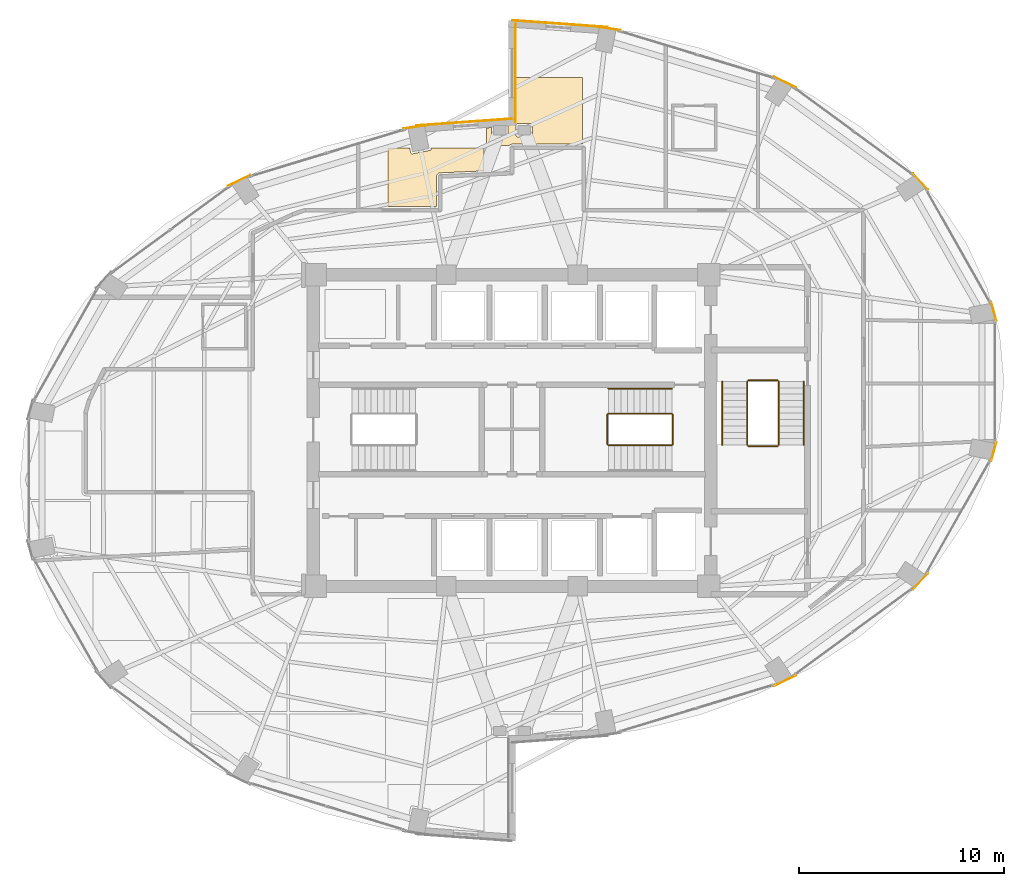
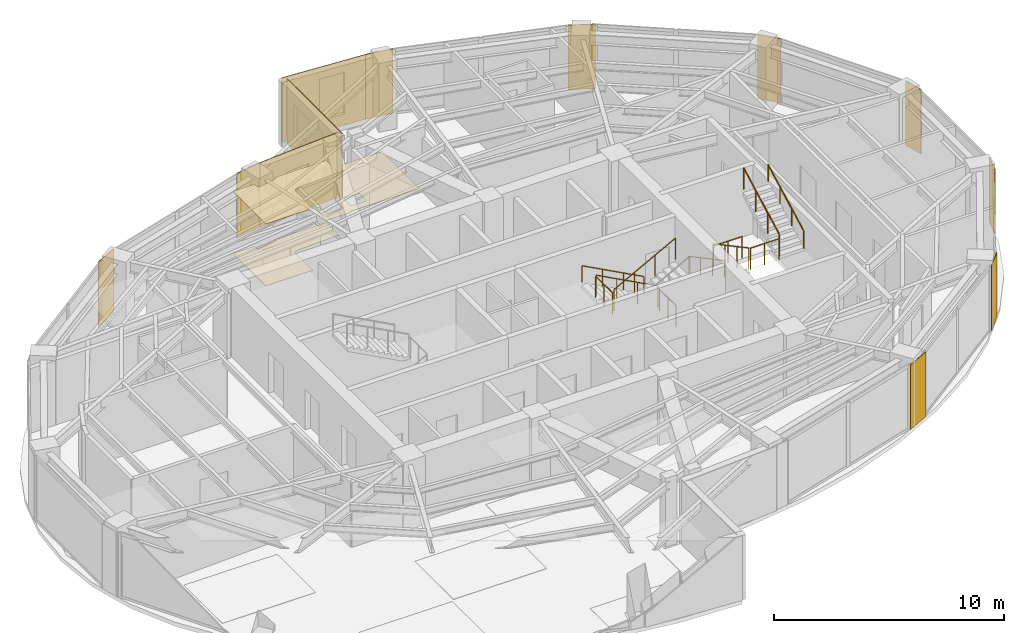
# One storey, part 20 of 20: 15 coverings, 11 railings.
"""IFC4 building model written with IfcOpenShell, lengths in metres."""

from ifc_helpers import new_model, si_unit, direction, frame, origin, origin_2d, place, context, subcontext, project, spatial, polyline, rectangle, circle, outline, extrude, material, layer, layer_set, type_object, element, save


model = new_model("IFC4")

# Units and contexts
model_context = context("Model", 3, precision=1e-05, world=origin(), true_north=direction((0.0, 1.0)))
body_context = subcontext(model_context, "Body", "Model", "MODEL_VIEW")
ifc_project = project(units=[si_unit("LENGTHUNIT", "METRE"), si_unit("AREAUNIT", "SQUARE_METRE"), si_unit("VOLUMEUNIT", "CUBIC_METRE"), si_unit("PLANEANGLEUNIT", "RADIAN"), si_unit("MASSUNIT", "GRAM", prefix="KILO")], contexts=[model_context])

# Site, building, storey
site_placement = place(None, origin())
site = spatial("IfcSite", under=ifc_project, at=site_placement, CompositionType="ELEMENT")
building_placement = place(site_placement, origin())
building = spatial("IfcBuilding", under=site, at=building_placement, Name="Lazwardi Medical Tower", CompositionType="ELEMENT")
storey_placement = place(building_placement, frame((0.0, 0.0, 141.93603515625)))
storey = spatial("IfcBuildingStorey", under=building, at=storey_placement, Name="L36", CompositionType="ELEMENT", Elevation=141.93603515625)

# Coverings
ifc_material_1 = material(Name="Anodised bronze aluminium cassette cladding", Category="aluminium")
ifc_layer_1 = layer(ifc_material_1, 0.030029296875)
ifc_layer_set_1 = layer_set([ifc_layer_1], Name="Anodised bronze aluminium cassette cladding")
covering_type_1 = type_object("IfcCoveringType", Name="COV-CLD-BRZ", PredefinedType="CLADDING", material=ifc_layer_set_1)
covering_1_placement = place(storey_placement, frame((49.31103515625, 15.798095703125, 0.0), z_axis=(0.0, 0.0, 1.0), x_axis=(0.898079014814, 0.439834154144, 0.0)))
element("IfcCovering", 1, at=covering_1_placement, inside=storey, type_object=covering_type_1, Name="L36 Mega-column bronze cassette cover M02", PredefinedType="CLADDING", context=body_context, shape_type="SweptSolid", body=[
    extrude(rectangle(XDim=1.200439453125, YDim=0.030029296875, at=origin_2d()), origin(), (0.0, 0.0, 1.0), 3.427978515625),
])
covering_2_placement = place(storey_placement, frame((55.92138671875, 20.643310546875, 0.0), z_axis=(0.0, 0.0, 1.0), x_axis=(0.673714459537, 0.738991763832, 0.0)))
element("IfcCovering", 2, at=covering_2_placement, inside=storey, type_object=covering_type_1, Name="L36 Mega-column bronze cassette cover M03", PredefinedType="CLADDING", context=body_context, shape_type="SweptSolid", body=[
    extrude(rectangle(XDim=1.0693359375, YDim=0.030029296875, at=origin_2d()), origin(), (0.0, 0.0, 1.0), 3.427978515625),
])
for number, where, z_axis, x_axis, name in (
    (3, (59.498779296875, 26.973876953125, 0.0), (0.0, 0.0, 1.0), (0.261828726257, 0.965114354938, 0.0), "L36 Mega-column bronze cassette cover M04"),
    (4, (59.498779296875, 33.826171875, 0.0), (0.0, 0.0, 1.0), (-0.261828726257, 0.965114354938, 0.0), "L36 Mega-column bronze cassette cover M05"),
):
    element("IfcCovering", number, at=place(storey_placement, frame(where, z_axis=z_axis, x_axis=x_axis)), inside=storey, type_object=covering_type_1, Name=name, PredefinedType="CLADDING", context=body_context, shape_type="SweptSolid", body=[
        extrude(rectangle(XDim=0.9658203125, YDim=0.030029296875, at=origin_2d()), origin(), (0.0, 0.0, 1.0), 3.427978515625),
    ])
covering_3_placement = place(storey_placement, frame((55.92138671875, 40.15673828125, 0.0), z_axis=(0.0, 0.0, 1.0), x_axis=(-0.673714459537, 0.738991763832, 0.0)))
element("IfcCovering", 5, at=covering_3_placement, inside=storey, type_object=covering_type_1, Name="L36 Mega-column bronze cassette cover M06", PredefinedType="CLADDING", context=body_context, shape_type="SweptSolid", body=[
    extrude(rectangle(XDim=1.0693359375, YDim=0.030029296875, at=origin_2d()), origin(), (0.0, 0.0, 1.0), 3.427978515625),
])
covering_4_placement = place(storey_placement, frame((49.31103515625, 45.001953125, 0.0), z_axis=(0.0, 0.0, 1.0), x_axis=(-0.898079014814, 0.439834154144, 0.0)))
element("IfcCovering", 6, at=covering_4_placement, inside=storey, type_object=covering_type_1, Name="L36 Mega-column bronze cassette cover M07", PredefinedType="CLADDING", context=body_context, shape_type="SweptSolid", body=[
    extrude(rectangle(XDim=1.200439453125, YDim=0.030029296875, at=origin_2d()), origin(), (0.0, 0.0, 1.0), 3.427978515625),
])
for number, where, z_axis, x_axis, name in (
    (7, (40.67431640625, 47.6240234375, 0.0), (0.0, 0.0, 1.0), (-0.989539138138, 0.144264666823, 0.0), "L36 Mega-column bronze cassette cover M08"),
    (8, (31.32568359375, 42.82421875, 0.0), (0.0, 0.0, 1.0), (-0.989539138138, -0.144264666823, 0.0), "L36 Mega-column bronze cassette cover M09"),
):
    element("IfcCovering", number, at=place(storey_placement, frame(where, z_axis=z_axis, x_axis=x_axis)), inside=storey, type_object=covering_type_1, Name=name, PredefinedType="CLADDING", context=body_context, shape_type="SweptSolid", body=[
        extrude(rectangle(XDim=1.28515625, YDim=0.030029296875, at=origin_2d()), origin(), (0.0, 0.0, 1.0), 3.427978515625),
    ])
covering_5_placement = place(storey_placement, frame((22.68896484375, 40.201904296875, 0.0), z_axis=(0.0, 0.0, 1.0), x_axis=(-0.898079014814, -0.439834154144, 0.0)))
element("IfcCovering", 9, at=covering_5_placement, inside=storey, type_object=covering_type_1, Name="L36 Mega-column bronze cassette cover M10", PredefinedType="CLADDING", context=body_context, shape_type="SweptSolid", body=[
    extrude(rectangle(XDim=1.200439453125, YDim=0.030029296875, at=origin_2d()), origin(), (0.0, 0.0, 1.0), 3.427978515625),
])
ifc_material_2 = material(Name="Turquoise glazed ceramic tilework cladding", Category="masonry")
ifc_layer_2 = layer(ifc_material_2, 0.034912109375)
ifc_layer_set_2 = layer_set([ifc_layer_2], Name="Turquoise glazed ceramic tilework cladding")
covering_type_2 = type_object("IfcCoveringType", Name="COV-CLD-TRQ", PredefinedType="CLADDING", material=ifc_layer_set_2)
covering_6_placement = place(storey_placement, frame((38.338134765625, 47.847412109375, 0.0), z_axis=(0.0, 0.0, 1.0), x_axis=(-0.997414510753, 0.071863020663, 0.0)))
element("IfcCovering", 10, at=covering_6_placement, inside=storey, type_object=covering_type_2, Name="L36 Turquoise glazed ceramic tilework cladding", PredefinedType="CLADDING", context=body_context, shape_type="SweptSolid", body=[
    extrude(rectangle(XDim=4.6630859375, YDim=0.034912109375, at=origin_2d()), origin(), (0.0, 0.0, 1.0), 3.427978515625),
])
covering_7_placement = place(storey_placement, frame((33.66162109375, 43.047607421875, 0.0), z_axis=(0.0, 0.0, 1.0), x_axis=(-0.997414134466, -0.071868243112, 0.0)))
element("IfcCovering", 11, at=covering_7_placement, inside=storey, type_object=covering_type_2, Name="L36 Turquoise glazed ceramic tilework cladding", PredefinedType="CLADDING", context=body_context, shape_type="SweptSolid", body=[
    extrude(rectangle(XDim=4.66259765625, YDim=0.034912109375, at=origin_2d()), origin(), (0.0, 0.0, 1.0), 3.427978515625),
])
covering_8_placement = place(storey_placement, frame((36.175537109375, 45.43994140625, 0.0), z_axis=(0.0, 0.0, 1.0), x_axis=(0.0, -1.0, 0.0)))
element("IfcCovering", 12, at=covering_8_placement, inside=storey, type_object=covering_type_2, Name="L36 Turquoise glazed ceramic tilework iwan panel", PredefinedType="CLADDING", context=body_context, shape_type="SweptSolid", body=[
    extrude(rectangle(XDim=4.800048828125, YDim=0.034912109375, at=origin_2d()), origin(), (0.0, 0.0, 1.0), 3.427978515625),
])
ifc_material_3 = material(Name="Acoustic mineral fibre tile")
ifc_layer_3 = layer(ifc_material_3, 0.02490234375)
ifc_layer_set_3 = layer_set([ifc_layer_3], Name="Acoustic mineral fibre tile")
covering_type_3 = type_object("IfcCoveringType", Name="COV-CLG-01", PredefinedType="CEILING", material=ifc_layer_set_3)
covering_9_placement = place(storey_placement, frame((0.0, 0.0, 3.282958984375)))
element("IfcCovering", 13, at=covering_9_placement, inside=storey, type_object=covering_type_3, Name="L36 Clinical Acoustic Ceiling 9", PredefinedType="CEILING", context=body_context, shape_type="SweptSolid", body=[
    extrude(outline(polyline([(32.052490234375, 41.782470703125), (32.05615234375, 41.7646484375), (32.05712890625, 41.7568359375), (32.0576171875, 41.7490234375), (32.05712890625, 41.7412109375), (32.05615234375, 41.7333984375), (32.05419921875, 41.725830078125), (32.051513671875, 41.718505859375), (32.048095703125, 41.71142578125), (32.044189453125, 41.70458984375), (32.039306640625, 41.698486328125), (32.0341796875, 41.6923828125), (32.0283203125, 41.687255859375), (32.02197265625, 41.6826171875), (32.015380859375, 41.678466796875), (32.00830078125, 41.67529296875), (32.000732421875, 41.672607421875), (31.9931640625, 41.670654296875), (31.149658203125, 41.502685546875), (31.141845703125, 41.501708984375), (31.134033203125, 41.501220703125), (31.126220703125, 41.501708984375), (31.118408203125, 41.502685546875), (31.11083984375, 41.504638671875), (31.103515625, 41.50732421875), (31.096435546875, 41.5107421875), (31.089599609375, 41.514892578125), (31.083251953125, 41.51953125), (31.077392578125, 41.524658203125), (31.072265625, 41.530517578125), (31.067626953125, 41.536865234375), (31.0634765625, 41.543701171875), (31.060302734375, 41.55078125), (31.0576171875, 41.55810546875), (31.0556640625, 41.565673828125), (31.012451171875, 41.782470703125), (29.952880859375, 41.782470703125), (29.952880859375, 38.925048828125), (32.324951171875, 38.925048828125), (32.324951171875, 40.3994140625), (32.3251953125, 40.40283203125), (32.325439453125, 40.411865234375), (32.326171875, 40.419921875), (32.327392578125, 40.428955078125), (32.3291015625, 40.436767578125), (32.331298828125, 40.445556640625), (32.3330078125, 40.45166015625), (32.3359375, 40.460205078125), (32.339111328125, 40.46826171875), (32.343017578125, 40.4765625), (32.34619140625, 40.48291015625), (32.350830078125, 40.49072265625), (32.35498046875, 40.497314453125), (32.3603515625, 40.504638671875), (32.364990234375, 40.510498046875), (32.370849609375, 40.517333984375), (32.376220703125, 40.522705078125), (32.3828125, 40.529052734375), (32.388427734375, 40.533935546875), (32.3955078125, 40.53955078125), (32.40234375, 40.54443359375), (32.409912109375, 40.54931640625), (32.415283203125, 40.552490234375), (32.42333984375, 40.556640625), (32.431640625, 40.560302734375), (32.440185546875, 40.563720703125), (32.44580078125, 40.565673828125), (32.45458984375, 40.568359375), (32.462646484375, 40.5703125), (32.4716796875, 40.572021484375), (32.4794921875, 40.572998046875), (32.488525390625, 40.573974609375), (32.491943359375, 40.57421875), (34.6328125, 40.67236328125), (34.6328125, 41.782470703125), (32.052490234375, 41.782470703125)])), origin(), (0.0, 0.0, 1.0), 0.02490234375),
])
ifc_material_4 = material(Name="Anti-static hospital vinyl sheet flooring")
ifc_layer_4 = layer(ifc_material_4, 0.014892578125)
ifc_layer_set_4 = layer_set([ifc_layer_4], Name="Anti-static hospital vinyl sheet flooring")
covering_type_4 = type_object("IfcCoveringType", Name="COV-FLR-01", PredefinedType="FLOORING", material=ifc_layer_set_4)
covering_10_placement = place(storey_placement, origin())
element("IfcCovering", 14, at=covering_10_placement, inside=storey, type_object=covering_type_4, Name="L36 Clinical Vinyl Flooring 8", PredefinedType="FLOORING", context=body_context, shape_type="SweptSolid", body=[
    extrude(outline(polyline([(32.052490234375, 41.782470703125), (32.05615234375, 41.7646484375), (32.05712890625, 41.7568359375), (32.0576171875, 41.7490234375), (32.05712890625, 41.7412109375), (32.05615234375, 41.7333984375), (32.05419921875, 41.725830078125), (32.051513671875, 41.718505859375), (32.048095703125, 41.71142578125), (32.044189453125, 41.70458984375), (32.039306640625, 41.698486328125), (32.0341796875, 41.6923828125), (32.0283203125, 41.687255859375), (32.02197265625, 41.6826171875), (32.015380859375, 41.678466796875), (32.00830078125, 41.67529296875), (32.000732421875, 41.672607421875), (31.9931640625, 41.670654296875), (31.149658203125, 41.502685546875), (31.141845703125, 41.501708984375), (31.134033203125, 41.501220703125), (31.126220703125, 41.501708984375), (31.118408203125, 41.502685546875), (31.11083984375, 41.504638671875), (31.103515625, 41.50732421875), (31.096435546875, 41.5107421875), (31.089599609375, 41.514892578125), (31.083251953125, 41.51953125), (31.077392578125, 41.524658203125), (31.072265625, 41.530517578125), (31.067626953125, 41.536865234375), (31.0634765625, 41.543701171875), (31.060302734375, 41.55078125), (31.0576171875, 41.55810546875), (31.0556640625, 41.565673828125), (31.012451171875, 41.782470703125), (29.952880859375, 41.782470703125), (29.952880859375, 38.925048828125), (32.324951171875, 38.925048828125), (32.324951171875, 40.3994140625), (32.3251953125, 40.40283203125), (32.325439453125, 40.411865234375), (32.326171875, 40.419921875), (32.327392578125, 40.428955078125), (32.3291015625, 40.436767578125), (32.331298828125, 40.445556640625), (32.3330078125, 40.45166015625), (32.3359375, 40.460205078125), (32.339111328125, 40.46826171875), (32.343017578125, 40.4765625), (32.34619140625, 40.48291015625), (32.350830078125, 40.49072265625), (32.35498046875, 40.497314453125), (32.3603515625, 40.504638671875), (32.364990234375, 40.510498046875), (32.370849609375, 40.517333984375), (32.376220703125, 40.522705078125), (32.3828125, 40.529052734375), (32.388427734375, 40.533935546875), (32.3955078125, 40.53955078125), (32.40234375, 40.54443359375), (32.409912109375, 40.54931640625), (32.415283203125, 40.552490234375), (32.42333984375, 40.556640625), (32.431640625, 40.560302734375), (32.440185546875, 40.563720703125), (32.44580078125, 40.565673828125), (32.45458984375, 40.568359375), (32.462646484375, 40.5703125), (32.4716796875, 40.572021484375), (32.4794921875, 40.572998046875), (32.488525390625, 40.573974609375), (32.491943359375, 40.57421875), (34.6328125, 40.67236328125), (34.6328125, 41.782470703125), (32.052490234375, 41.782470703125)])), origin(), (0.0, 0.0, 1.0), 0.014892578125),
])
covering_11_placement = place(storey_placement, origin())
element("IfcCovering", 15, at=covering_11_placement, inside=storey, type_object=covering_type_4, Name="L36 Clinical Vinyl Flooring 10", PredefinedType="FLOORING", context=body_context, shape_type="SweptSolid", body=[
    extrude(outline(polyline([(36.080078125, 45.232421875), (36.080078125, 43.02001953125), (36.07958984375, 43.012451171875), (36.07861328125, 43.0048828125), (36.076904296875, 42.99755859375), (36.07421875, 42.990234375), (36.071044921875, 42.9833984375), (36.0673828125, 42.976806640625), (36.06298828125, 42.970703125), (36.057861328125, 42.96484375), (36.052490234375, 42.959716796875), (36.04638671875, 42.954833984375), (36.0400390625, 42.95068359375), (36.033203125, 42.947265625), (36.0263671875, 42.9443359375), (36.01904296875, 42.9423828125), (36.011474609375, 42.94091796875), (35.798583984375, 42.909912109375), (35.799560546875, 42.90283203125), (35.800048828125, 42.89501953125), (35.800048828125, 42.405029296875), (35.799560546875, 42.397216796875), (35.798583984375, 42.389404296875), (35.796630859375, 42.3818359375), (35.7939453125, 42.37451171875), (35.79052734375, 42.3671875), (35.78662109375, 42.360595703125), (35.78173828125, 42.354248046875), (35.776611328125, 42.348388671875), (35.770751953125, 42.34326171875), (35.764404296875, 42.33837890625), (35.7578125, 42.33447265625), (35.75048828125, 42.3310546875), (35.7431640625, 42.328369140625), (35.735595703125, 42.326416015625), (35.727783203125, 42.325439453125), (35.719970703125, 42.324951171875), (35.080078125, 42.324951171875), (35.072265625, 42.325439453125), (35.064453125, 42.326416015625), (35.056884765625, 42.328369140625), (35.04931640625, 42.3310546875), (35.042236328125, 42.33447265625), (35.03564453125, 42.33837890625), (35.029296875, 42.34326171875), (35.0234375, 42.348388671875), (35.018310546875, 42.354248046875), (35.013427734375, 42.360595703125), (35.009521484375, 42.3671875), (35.006103515625, 42.37451171875), (35.00341796875, 42.3818359375), (35.00146484375, 42.389404296875), (35.00048828125, 42.397216796875), (35.0, 42.405029296875), (35.0, 42.793701171875), (34.7529296875, 42.7578125), (34.7529296875, 41.902587890625), (35.8583984375, 41.902587890625), (35.862548828125, 41.908203125), (35.8671875, 41.913818359375), (35.873291015625, 41.920654296875), (35.87939453125, 41.9267578125), (35.88623046875, 41.932861328125), (35.891845703125, 41.9375), (35.8994140625, 41.943115234375), (35.906005859375, 41.947509765625), (35.9140625, 41.952392578125), (35.9208984375, 41.9560546875), (35.92919921875, 41.9599609375), (35.93701171875, 41.96337890625), (35.94580078125, 41.96630859375), (35.952880859375, 41.968505859375), (35.9619140625, 41.970703125), (35.97021484375, 41.972412109375), (35.9794921875, 41.9736328125), (35.986328125, 41.974365234375), (35.99560546875, 41.974853515625), (36.0, 41.97509765625), (39.432861328125, 41.97509765625), (39.432861328125, 45.232421875), (36.080078125, 45.232421875)]), holes=[polyline([(36.943115234375, 42.328369140625), (36.935546875, 42.326416015625), (36.927734375, 42.325439453125), (36.919921875, 42.324951171875), (36.280029296875, 42.324951171875), (36.272216796875, 42.325439453125), (36.264404296875, 42.326416015625), (36.2568359375, 42.328369140625), (36.24951171875, 42.3310546875), (36.2421875, 42.33447265625), (36.235595703125, 42.33837890625), (36.229248046875, 42.34326171875), (36.223388671875, 42.348388671875), (36.21826171875, 42.354248046875), (36.21337890625, 42.360595703125), (36.20947265625, 42.3671875), (36.2060546875, 42.37451171875), (36.203369140625, 42.3818359375), (36.201416015625, 42.389404296875), (36.200439453125, 42.397216796875), (36.199951171875, 42.405029296875), (36.199951171875, 42.89501953125), (36.200439453125, 42.90283203125), (36.201416015625, 42.91064453125), (36.203369140625, 42.918212890625), (36.2060546875, 42.925537109375), (36.20947265625, 42.9326171875), (36.21337890625, 42.939453125), (36.21826171875, 42.94580078125), (36.223388671875, 42.95166015625), (36.229248046875, 42.956787109375), (36.235595703125, 42.96142578125), (36.2421875, 42.965576171875), (36.24951171875, 42.968994140625), (36.2568359375, 42.9716796875), (36.264404296875, 42.973388671875), (36.272216796875, 42.974609375), (36.280029296875, 42.97509765625), (36.919921875, 42.97509765625), (36.927734375, 42.974609375), (36.935546875, 42.973388671875), (36.943115234375, 42.9716796875), (36.95068359375, 42.968994140625), (36.957763671875, 42.965576171875), (36.96435546875, 42.96142578125), (36.970703125, 42.956787109375), (36.9765625, 42.95166015625), (36.981689453125, 42.94580078125), (36.986572265625, 42.939453125), (36.990478515625, 42.9326171875), (36.993896484375, 42.925537109375), (36.99658203125, 42.918212890625), (36.99853515625, 42.91064453125), (36.99951171875, 42.90283203125), (37.0, 42.89501953125), (37.0, 42.405029296875), (36.99951171875, 42.397216796875), (36.99853515625, 42.389404296875), (36.99658203125, 42.3818359375), (36.993896484375, 42.37451171875), (36.990478515625, 42.3671875), (36.986572265625, 42.360595703125), (36.981689453125, 42.354248046875), (36.9765625, 42.348388671875), (36.970703125, 42.34326171875), (36.96435546875, 42.33837890625), (36.957763671875, 42.33447265625), (36.95068359375, 42.3310546875), (36.943115234375, 42.328369140625)])]), origin(), (0.0, 0.0, 1.0), 0.014892578125),
])

# Railings
ifc_material_5 = material(Name="Stainless steel Grade 316", Category="steel")
railing_type_1 = type_object("IfcRailingType", Name="RLG-GRD-1150", PredefinedType="GUARDRAIL", material=ifc_material_5)
railing_1_placement = place(storey_placement, frame((43.800048828125, 28.830078125, 0.165771484375)))
element("IfcRailing", 16, at=railing_1_placement, inside=storey, type_object=railing_type_1, Name="L36 ST2 stair guard 1", PredefinedType="GUARDRAIL", context=body_context, shape_type="SweptSolid", body=[
    extrude(circle(Radius=0.02392578125, at=origin_2d()), frame((0.0, 0.0, 1.1259765625), z_axis=(-0.881783298633, 0.0, 0.471654761719), x_axis=(0.0, -1.0, 0.0)), (0.0, 0.0, 1.0), 3.515625),
    extrude(circle(Radius=0.02099609375, at=origin_2d()), origin(), (0.0, 0.0, 1.0), 1.099853515625),
    extrude(circle(Radius=0.02099609375, at=origin_2d()), frame((-1.033447265625, 0.0, 0.552734375)), (0.0, 0.0, 1.0), 1.099853515625),
    extrude(circle(Radius=0.02099609375, at=origin_2d()), frame((-2.066650390625, 0.0, 1.10546875)), (0.0, 0.0, 1.0), 1.099853515625),
    extrude(circle(Radius=0.02099609375, at=origin_2d()), frame((-3.10009765625, 0.0, 1.658203125)), (0.0, 0.0, 1.0), 1.099853515625),
])
railing_2_placement = place(storey_placement, frame((40.64990234375, 28.780029296875, 1.823974609375)))
element("IfcRailing", 17, at=railing_2_placement, inside=storey, type_object=railing_type_1, Name="L36 ST2 stair guard 2", PredefinedType="GUARDRAIL", context=body_context, shape_type="SweptSolid", body=[
    extrude(circle(Radius=0.02392578125, at=origin_2d()), frame((0.0, 0.0, 1.1259765625), z_axis=(0.0, -1.0, 0.0), x_axis=(1.0, 0.0, 0.0)), (0.0, 0.0, 1.0), 1.43994140625),
    extrude(circle(Radius=0.02099609375, at=origin_2d()), origin(), (0.0, 0.0, 1.0), 1.099853515625),
    extrude(circle(Radius=0.02099609375, at=origin_2d()), frame((0.0, -0.719970703125, 0.0)), (0.0, 0.0, 1.0), 1.099853515625),
    extrude(circle(Radius=0.02099609375, at=origin_2d()), frame((0.0, -1.43994140625, 0.0)), (0.0, 0.0, 1.0), 1.099853515625),
])
railing_3_placement = place(storey_placement, frame((40.699951171875, 27.2900390625, 1.98974609375)))
element("IfcRailing", 18, at=railing_3_placement, inside=storey, type_object=railing_type_1, Name="L36 ST2 stair guard 3", PredefinedType="GUARDRAIL", context=body_context, shape_type="SweptSolid", body=[
    extrude(circle(Radius=0.02392578125, at=origin_2d()), frame((0.0, 0.0, 1.1259765625), z_axis=(0.881783298633, 0.0, 0.471654761719), x_axis=(0.0, 1.0, 0.0)), (0.0, 0.0, 1.0), 3.515625),
    extrude(circle(Radius=0.02099609375, at=origin_2d()), origin(), (0.0, 0.0, 1.0), 1.099853515625),
    extrude(circle(Radius=0.02099609375, at=origin_2d()), frame((1.033447265625, 0.0, 0.552734375)), (0.0, 0.0, 1.0), 1.099853515625),
    extrude(circle(Radius=0.02099609375, at=origin_2d()), frame((2.066650390625, 0.0, 1.10546875)), (0.0, 0.0, 1.0), 1.099853515625),
    extrude(circle(Radius=0.02099609375, at=origin_2d()), frame((3.10009765625, 0.0, 1.658203125)), (0.0, 0.0, 1.0), 1.099853515625),
])
railing_4_placement = place(storey_placement, frame((43.85009765625, 28.780029296875, 0.0)))
element("IfcRailing", 19, at=railing_4_placement, inside=storey, type_object=railing_type_1, Name="L36 ST2 stair guard 4", PredefinedType="GUARDRAIL", context=body_context, shape_type="SweptSolid", body=[
    extrude(circle(Radius=0.02392578125, at=origin_2d()), frame((0.0, 0.0, 1.1259765625), z_axis=(0.0, -1.0, 0.0), x_axis=(1.0, 0.0, 0.0)), (0.0, 0.0, 1.0), 1.43994140625),
    extrude(circle(Radius=0.02099609375, at=origin_2d()), origin(), (0.0, 0.0, 1.0), 1.099853515625),
    extrude(circle(Radius=0.02099609375, at=origin_2d()), frame((0.0, -0.719970703125, 0.0)), (0.0, 0.0, 1.0), 1.099853515625),
    extrude(circle(Radius=0.02099609375, at=origin_2d()), frame((0.0, -1.43994140625, 0.0)), (0.0, 0.0, 1.0), 1.099853515625),
])
railing_5_placement = place(storey_placement, frame((47.469970703125, 30.39990234375, 0.165771484375)))
element("IfcRailing", 20, at=railing_5_placement, inside=storey, type_object=railing_type_1, Name="L36 ST3 stair guard 1", PredefinedType="GUARDRAIL", context=body_context, shape_type="SweptSolid", body=[
    extrude(circle(Radius=0.02392578125, at=origin_2d()), frame((0.0, 0.0, 1.1259765625), z_axis=(0.0, -0.881767849116, 0.471683644262), x_axis=(1.0, 0.0, 0.0)), (0.0, 0.0, 1.0), 3.515380859375),
    extrude(circle(Radius=0.02099609375, at=origin_2d()), origin(), (0.0, 0.0, 1.0), 1.099853515625),
    extrude(circle(Radius=0.02099609375, at=origin_2d()), frame((0.0, -1.033203125, 0.552734375)), (0.0, 0.0, 1.0), 1.099853515625),
    extrude(circle(Radius=0.02099609375, at=origin_2d()), frame((0.0, -2.066650390625, 1.10546875)), (0.0, 0.0, 1.0), 1.099853515625),
    extrude(circle(Radius=0.02099609375, at=origin_2d()), frame((0.0, -3.099853515625, 1.658203125)), (0.0, 0.0, 1.0), 1.099853515625),
])
railing_6_placement = place(storey_placement, frame((47.52001953125, 27.25, 1.823974609375)))
element("IfcRailing", 21, at=railing_6_placement, inside=storey, type_object=railing_type_1, Name="L36 ST3 stair guard 2", PredefinedType="GUARDRAIL", context=body_context, shape_type="SweptSolid", body=[
    extrude(circle(Radius=0.02392578125, at=origin_2d()), frame((0.0, 0.0, 1.1259765625), z_axis=(1.0, 0.0, 0.0), x_axis=(0.0, 1.0, 0.0)), (0.0, 0.0, 1.0), 1.43994140625),
    extrude(circle(Radius=0.02099609375, at=origin_2d()), origin(), (0.0, 0.0, 1.0), 1.099853515625),
    extrude(circle(Radius=0.02099609375, at=origin_2d()), frame((0.719970703125, 0.0, 0.0)), (0.0, 0.0, 1.0), 1.099853515625),
    extrude(circle(Radius=0.02099609375, at=origin_2d()), frame((1.43994140625, 0.0, 0.0)), (0.0, 0.0, 1.0), 1.099853515625),
])
railing_7_placement = place(storey_placement, frame((49.010009765625, 27.300048828125, 1.98974609375)))
element("IfcRailing", 22, at=railing_7_placement, inside=storey, type_object=railing_type_1, Name="L36 ST3 stair guard 3", PredefinedType="GUARDRAIL", context=body_context, shape_type="SweptSolid", body=[
    extrude(circle(Radius=0.02392578125, at=origin_2d()), frame((0.0, 0.0, 1.1259765625), z_axis=(0.0, 0.881767849116, 0.471683644262), x_axis=(-1.0, 0.0, 0.0)), (0.0, 0.0, 1.0), 3.515380859375),
    extrude(circle(Radius=0.02099609375, at=origin_2d()), origin(), (0.0, 0.0, 1.0), 1.099853515625),
    extrude(circle(Radius=0.02099609375, at=origin_2d()), frame((0.0, 1.033203125, 0.552734375)), (0.0, 0.0, 1.0), 1.099853515625),
    extrude(circle(Radius=0.02099609375, at=origin_2d()), frame((0.0, 2.066650390625, 1.10546875)), (0.0, 0.0, 1.0), 1.099853515625),
    extrude(circle(Radius=0.02099609375, at=origin_2d()), frame((0.0, 3.099853515625, 1.658203125)), (0.0, 0.0, 1.0), 1.099853515625),
])
railing_8_placement = place(storey_placement, frame((47.52001953125, 30.449951171875, 0.0)))
element("IfcRailing", 23, at=railing_8_placement, inside=storey, type_object=railing_type_1, Name="L36 ST3 stair guard 4", PredefinedType="GUARDRAIL", context=body_context, shape_type="SweptSolid", body=[
    extrude(circle(Radius=0.02392578125, at=origin_2d()), frame((0.0, 0.0, 1.1259765625), z_axis=(1.0, 0.0, 0.0), x_axis=(0.0, 1.0, 0.0)), (0.0, 0.0, 1.0), 1.43994140625),
    extrude(circle(Radius=0.02099609375, at=origin_2d()), origin(), (0.0, 0.0, 1.0), 1.099853515625),
    extrude(circle(Radius=0.02099609375, at=origin_2d()), frame((0.719970703125, 0.0, 0.0)), (0.0, 0.0, 1.0), 1.099853515625),
    extrude(circle(Radius=0.02099609375, at=origin_2d()), frame((1.43994140625, 0.0, 0.0)), (0.0, 0.0, 1.0), 1.099853515625),
])
railing_type_2 = type_object("IfcRailingType", Name="RLG-HND-920", PredefinedType="HANDRAIL", material=ifc_material_5)
railing_9_placement = place(storey_placement, frame((43.800048828125, 30.050048828125, 0.165771484375)))
element("IfcRailing", 24, at=railing_9_placement, inside=storey, type_object=railing_type_2, Name="L36 ST2 stair handrail 1", PredefinedType="HANDRAIL", context=body_context, shape_type="SweptSolid", body=[
    extrude(circle(Radius=0.02392578125, at=origin_2d()), frame((0.0, 0.0, 0.8857421875), z_axis=(-0.881783298633, 0.0, 0.471654761719), x_axis=(0.0, -1.0, 0.0)), (0.0, 0.0, 1.0), 3.515625),
    extrude(circle(Radius=0.02099609375, at=origin_2d()), origin(), (0.0, 0.0, 1.0), 0.85986328125),
    extrude(circle(Radius=0.02099609375, at=origin_2d()), frame((-1.033447265625, 0.0, 0.552734375)), (0.0, 0.0, 1.0), 0.85986328125),
    extrude(circle(Radius=0.02099609375, at=origin_2d()), frame((-2.066650390625, 0.0, 1.10546875)), (0.0, 0.0, 1.0), 0.85986328125),
    extrude(circle(Radius=0.02099609375, at=origin_2d()), frame((-3.10009765625, 0.0, 1.658203125)), (0.0, 0.0, 1.0), 0.85986328125),
])
railing_10_placement = place(storey_placement, frame((46.25, 30.39990234375, 0.165771484375)))
element("IfcRailing", 25, at=railing_10_placement, inside=storey, type_object=railing_type_2, Name="L36 ST3 stair handrail 1", PredefinedType="HANDRAIL", context=body_context, shape_type="SweptSolid", body=[
    extrude(circle(Radius=0.02392578125, at=origin_2d()), frame((0.0, 0.0, 0.8857421875), z_axis=(0.0, -0.881767849116, 0.471683644262), x_axis=(1.0, 0.0, 0.0)), (0.0, 0.0, 1.0), 3.515380859375),
    extrude(circle(Radius=0.02099609375, at=origin_2d()), origin(), (0.0, 0.0, 1.0), 0.85986328125),
    extrude(circle(Radius=0.02099609375, at=origin_2d()), frame((0.0, -1.033203125, 0.552734375)), (0.0, 0.0, 1.0), 0.85986328125),
    extrude(circle(Radius=0.02099609375, at=origin_2d()), frame((0.0, -2.066650390625, 1.10546875)), (0.0, 0.0, 1.0), 0.85986328125),
    extrude(circle(Radius=0.02099609375, at=origin_2d()), frame((0.0, -3.099853515625, 1.658203125)), (0.0, 0.0, 1.0), 0.85986328125),
])
railing_11_placement = place(storey_placement, frame((50.22998046875, 27.300048828125, 1.98974609375)))
element("IfcRailing", 26, at=railing_11_placement, inside=storey, type_object=railing_type_2, Name="L36 ST3 stair handrail 2", PredefinedType="HANDRAIL", context=body_context, shape_type="SweptSolid", body=[
    extrude(circle(Radius=0.02392578125, at=origin_2d()), frame((0.0, 0.0, 0.8857421875), z_axis=(0.0, 0.881767849116, 0.471683644262), x_axis=(-1.0, 0.0, 0.0)), (0.0, 0.0, 1.0), 3.515380859375),
    extrude(circle(Radius=0.02099609375, at=origin_2d()), origin(), (0.0, 0.0, 1.0), 0.85986328125),
    extrude(circle(Radius=0.02099609375, at=origin_2d()), frame((0.0, 1.033203125, 0.552734375)), (0.0, 0.0, 1.0), 0.85986328125),
    extrude(circle(Radius=0.02099609375, at=origin_2d()), frame((0.0, 2.066650390625, 1.10546875)), (0.0, 0.0, 1.0), 0.85986328125),
    extrude(circle(Radius=0.02099609375, at=origin_2d()), frame((0.0, 3.099853515625, 1.658203125)), (0.0, 0.0, 1.0), 0.85986328125),
])

save(model, "model.ifc")
